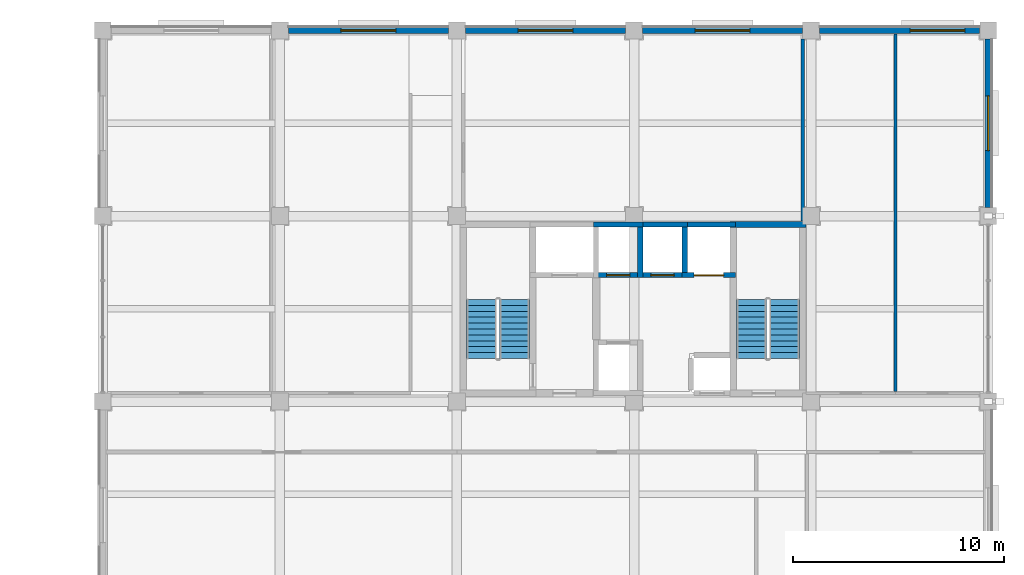
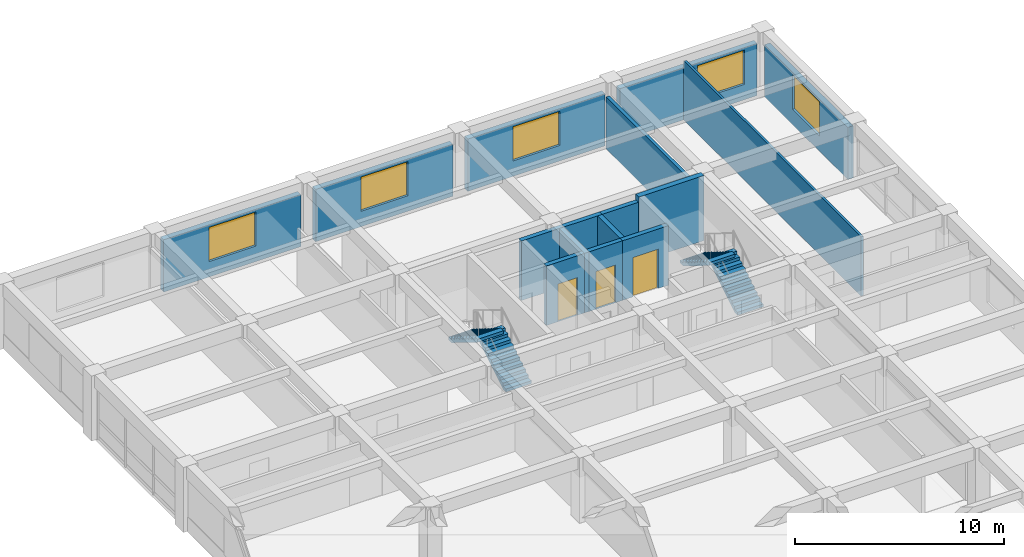
# One storey, part 12 of 16: 16 walls, 5 windows, 4 stair flights, 3 doors, 8 openings, 2 elements without a shape of their own.
"""IFC4 building model written with IfcOpenShell, lengths in metres."""

from ifc_helpers import new_model, si_unit, direction, frame, frame_2d, origin, place, context, subcontext, project, spatial, polyline, rectangle, outline, extrude, material, layer, layer_set, type_object, element, fill, aggregate, save


model = new_model("IFC4")

# Units and contexts
model_context = context("Model", 3, precision=1e-05, world=origin(), true_north=direction((0.0, 1.0)))
body_context = subcontext(model_context, "Body", "Model", "MODEL_VIEW")
ifc_project = project(units=[si_unit("LENGTHUNIT", "METRE"), si_unit("AREAUNIT", "SQUARE_METRE"), si_unit("VOLUMEUNIT", "CUBIC_METRE"), si_unit("PLANEANGLEUNIT", "RADIAN"), si_unit("MASSUNIT", "GRAM", prefix="KILO")], contexts=[model_context])

# Site, building, storey
site_placement = place(None, origin())
site = spatial("IfcSite", under=ifc_project, at=site_placement, CompositionType="ELEMENT")
building_placement = place(site_placement, origin())
building = spatial("IfcBuilding", under=site, at=building_placement, Name="Kemercrest Conservatory and Botanical Centre", CompositionType="ELEMENT")
storey_placement = place(building_placement, frame((0.0, 0.0, 17.199951171875)))
storey = spatial("IfcBuildingStorey", under=building, at=storey_placement, Name="L04", CompositionType="ELEMENT", Elevation=17.199951171875)

# Wall
ifc_material_1 = material(Name="Concrete C50/60", Category="concrete")
ifc_layer_1 = layer(ifc_material_1, 0.300048828125)
ifc_layer_set_1 = layer_set([ifc_layer_1], Name="Concrete C50/60")
wall_type_1 = type_object("IfcWallType", Name="CW-STAIR", PredefinedType="SHEAR", material=ifc_layer_set_1)
wall_1_placement = place(storey_placement, frame((163.75, 113.199951171875, 0.0), z_axis=(0.0, 0.0, 1.0), x_axis=(1.0, 0.0, 0.0)))
element("IfcWall", 1, at=wall_1_placement, inside=storey, type_object=wall_type_1, Name="Stair core ST-V4B shear wall N", PredefinedType="SHEAR", context=body_context, shape_type="SweptSolid", body=[
    extrude(rectangle(XDim=3.60009765625, YDim=0.300048828125, at=frame_2d((1.800048828125, 0.0))), origin(), (0.0, 0.0, 1.0), 3.800048828125),
])

# Wall, opening, window
ifc_material_2 = material(Name="Precast concrete C40/50", Category="concrete")
ifc_layer_2 = layer(ifc_material_2, 0.300048828125)
ifc_layer_set_2 = layer_set([ifc_layer_2], Name="Precast concrete C40/50")
wall_type_2 = type_object("IfcWallType", Name="W-EXT300", PredefinedType="SOLIDWALL", material=ifc_layer_set_2)
wall_2_placement = place(storey_placement, frame((176.0, 114.010009765625, 0.0), z_axis=(0.0, 0.0, 1.0), x_axis=(0.0, 1.0, 0.0)))
wall_2 = element("IfcWall", 2, at=wall_2_placement, inside=storey, type_object=wall_type_2, Name="Exterior almasik wall W-EXT300 (WAL:L04:EXT-228)", PredefinedType="SOLIDWALL", context=body_context, shape_type="SweptSolid", body=[
    extrude(rectangle(XDim=7.97998046875, YDim=0.300048828125, at=frame_2d((3.989990234375, 0.0))), origin(), (0.0, 0.0, 1.0), 3.050048828125),
])
opening_1_placement = place(wall_2_placement, frame((2.68994140625, 0.0, 0.89990234375)))
opening_1 = element("IfcOpeningElement", 3, at=opening_1_placement, cuts=wall_2, Name="Opening WT-10", PredefinedType="OPENING", context=body_context, shape_type="SweptSolid", body=[
    extrude(rectangle(XDim=2.60009765625, YDim=2.0, at=frame_2d((1.300048828125, 1.0))), frame((0.0, 0.16015625, 0.0), z_axis=(0.0, -1.0, 0.0), x_axis=(1.0, 0.0, 0.0)), (0.0, 0.0, 1.0), 0.320068359375),
])
ifc_material_3 = material(Name="Thermally broken bronze-anodized aluminium and triple glazing", Category="aluminium")
window_type = type_object("IfcWindowType", Name="WT-10", PartitioningType="SINGLE_PANEL", PredefinedType="WINDOW", material=ifc_material_3)
window_1_placement = place(opening_1_placement, origin())
window_1 = element("IfcWindow", 4, at=window_1_placement, inside=storey, type_object=window_type, Name="Exterior window WT-10 (WIN:L04:EXT-228)", OverallHeight=2.0, OverallWidth=2.60009765625, PartitioningType="SINGLE_PANEL", PredefinedType="WINDOW", context=body_context, shape_type="SweptSolid", body=[
    extrude(rectangle(XDim=2.60009765625, YDim=2.0, at=frame_2d((1.300048828125, 1.0))), frame((0.0, 0.030029296875, 0.0), z_axis=(0.0, -1.0, 0.0), x_axis=(1.0, 0.0, 0.0)), (0.0, 0.0, 1.0), 0.06005859375),
])
fill(opening_1, window_1)

wall_3_placement = place(storey_placement, frame((175.590087890625, 122.39990234375, 0.0), z_axis=(0.0, 0.0, 1.0), x_axis=(-1.0, 0.0, 0.0)))
wall_3 = element("IfcWall", 5, at=wall_3_placement, inside=storey, type_object=wall_type_2, Name="Exterior almasik wall W-EXT300 (WAL:L04:EXT-229)", PredefinedType="SOLIDWALL", context=body_context, shape_type="SweptSolid", body=[
    extrude(rectangle(XDim=7.580078125, YDim=0.300048828125, at=frame_2d((3.7900390625, 0.0))), origin(), (0.0, 0.0, 1.0), 3.050048828125),
])
opening_2_placement = place(wall_3_placement, frame((0.695068359375, 0.0, 0.89990234375)))
opening_2 = element("IfcOpeningElement", 6, at=opening_2_placement, cuts=wall_3, Name="Opening WT-10", PredefinedType="OPENING", context=body_context, shape_type="SweptSolid", body=[
    extrude(rectangle(XDim=2.60009765625, YDim=2.0, at=frame_2d((1.300048828125, 1.0))), frame((0.0, 0.16015625, 0.0), z_axis=(0.0, -1.0, 0.0), x_axis=(1.0, 0.0, 0.0)), (0.0, 0.0, 1.0), 0.320068359375),
])
window_2_placement = place(opening_2_placement, origin())
window_2 = element("IfcWindow", 7, at=window_2_placement, inside=storey, type_object=window_type, Name="Exterior window WT-10 (WIN:L04:EXT-229)", OverallHeight=2.0, OverallWidth=2.60009765625, PartitioningType="SINGLE_PANEL", PredefinedType="WINDOW", context=body_context, shape_type="SweptSolid", body=[
    extrude(rectangle(XDim=2.60009765625, YDim=2.0, at=frame_2d((1.300048828125, 1.0))), frame((0.0, 0.030029296875, 0.0), z_axis=(0.0, -1.0, 0.0), x_axis=(1.0, 0.0, 0.0)), (0.0, 0.0, 1.0), 0.06005859375),
])
fill(opening_2, window_2)

wall_4_placement = place(storey_placement, frame((167.18994140625, 122.39990234375, 0.0), z_axis=(0.0, 0.0, 1.0), x_axis=(-1.0, 0.0, 0.0)))
wall_4 = element("IfcWall", 8, at=wall_4_placement, inside=storey, type_object=wall_type_2, Name="Exterior almasik wall W-EXT300 (WAL:L04:EXT-230)", PredefinedType="SOLIDWALL", context=body_context, shape_type="SweptSolid", body=[
    extrude(rectangle(XDim=7.579833984375, YDim=0.300048828125, at=frame_2d((3.7900390625, 0.0))), origin(), (0.0, 0.0, 1.0), 3.050048828125),
])
opening_3_placement = place(wall_4_placement, frame((2.489990234375, 0.0, 0.89990234375)))
opening_3 = element("IfcOpeningElement", 9, at=opening_3_placement, cuts=wall_4, Name="Opening WT-10", PredefinedType="OPENING", context=body_context, shape_type="SweptSolid", body=[
    extrude(rectangle(XDim=2.60009765625, YDim=2.0, at=frame_2d((1.300048828125, 1.0))), frame((0.0, 0.16015625, 0.0), z_axis=(0.0, -1.0, 0.0), x_axis=(1.0, 0.0, 0.0)), (0.0, 0.0, 1.0), 0.320068359375),
])
window_3_placement = place(opening_3_placement, origin())
window_3 = element("IfcWindow", 10, at=window_3_placement, inside=storey, type_object=window_type, Name="Exterior window WT-10 (WIN:L04:EXT-230)", OverallHeight=2.0, OverallWidth=2.60009765625, PartitioningType="SINGLE_PANEL", PredefinedType="WINDOW", context=body_context, shape_type="SweptSolid", body=[
    extrude(rectangle(XDim=2.60009765625, YDim=2.0, at=frame_2d((1.300048828125, 1.0))), frame((0.0, 0.030029296875, 0.0), z_axis=(0.0, -1.0, 0.0), x_axis=(1.0, 0.0, 0.0)), (0.0, 0.0, 1.0), 0.06005859375),
])
fill(opening_3, window_3)

wall_5_placement = place(storey_placement, frame((158.7900390625, 122.39990234375, 0.0), z_axis=(0.0, 0.0, 1.0), x_axis=(-1.0, 0.0, 0.0)))
wall_5 = element("IfcWall", 11, at=wall_5_placement, inside=storey, type_object=wall_type_2, Name="Exterior almasik wall W-EXT300 (WAL:L04:EXT-231)", PredefinedType="SOLIDWALL", context=body_context, shape_type="SweptSolid", body=[
    extrude(rectangle(XDim=7.580078125, YDim=0.300048828125, at=frame_2d((3.7900390625, 0.0))), origin(), (0.0, 0.0, 1.0), 3.050048828125),
])
opening_4_placement = place(wall_5_placement, frame((2.489990234375, 0.0, 0.89990234375)))
opening_4 = element("IfcOpeningElement", 12, at=opening_4_placement, cuts=wall_5, Name="Opening WT-10", PredefinedType="OPENING", context=body_context, shape_type="SweptSolid", body=[
    extrude(rectangle(XDim=2.60009765625, YDim=2.0, at=frame_2d((1.300048828125, 1.0))), frame((0.0, 0.16015625, 0.0), z_axis=(0.0, -1.0, 0.0), x_axis=(1.0, 0.0, 0.0)), (0.0, 0.0, 1.0), 0.320068359375),
])
window_4_placement = place(opening_4_placement, origin())
window_4 = element("IfcWindow", 13, at=window_4_placement, inside=storey, type_object=window_type, Name="Exterior window WT-10 (WIN:L04:EXT-231)", OverallHeight=2.0, OverallWidth=2.60009765625, PartitioningType="SINGLE_PANEL", PredefinedType="WINDOW", context=body_context, shape_type="SweptSolid", body=[
    extrude(rectangle(XDim=2.60009765625, YDim=2.0, at=frame_2d((1.300048828125, 1.0))), frame((0.0, 0.030029296875, 0.0), z_axis=(0.0, -1.0, 0.0), x_axis=(1.0, 0.0, 0.0)), (0.0, 0.0, 1.0), 0.06005859375),
])
fill(opening_4, window_4)

wall_6_placement = place(storey_placement, frame((150.389892578125, 122.39990234375, 0.0), z_axis=(0.0, 0.0, 1.0), x_axis=(-1.0, 0.0, 0.0)))
wall_6 = element("IfcWall", 14, at=wall_6_placement, inside=storey, type_object=wall_type_2, Name="Exterior almasik wall W-EXT300 (WAL:L04:EXT-232)", PredefinedType="SOLIDWALL", context=body_context, shape_type="SweptSolid", body=[
    extrude(rectangle(XDim=7.579833984375, YDim=0.300048828125, at=frame_2d((3.7900390625, 0.0))), origin(), (0.0, 0.0, 1.0), 3.050048828125),
])
opening_5_placement = place(wall_6_placement, frame((2.489990234375, 0.0, 0.89990234375)))
opening_5 = element("IfcOpeningElement", 15, at=opening_5_placement, cuts=wall_6, Name="Opening WT-10", PredefinedType="OPENING", context=body_context, shape_type="SweptSolid", body=[
    extrude(rectangle(XDim=2.60009765625, YDim=2.0, at=frame_2d((1.300048828125, 1.0))), frame((0.0, 0.16015625, 0.0), z_axis=(0.0, -1.0, 0.0), x_axis=(1.0, 0.0, 0.0)), (0.0, 0.0, 1.0), 0.320068359375),
])
window_5_placement = place(opening_5_placement, origin())
window_5 = element("IfcWindow", 16, at=window_5_placement, inside=storey, type_object=window_type, Name="Exterior window WT-10 (WIN:L04:EXT-232)", OverallHeight=2.0, OverallWidth=2.60009765625, PartitioningType="SINGLE_PANEL", PredefinedType="WINDOW", context=body_context, shape_type="SweptSolid", body=[
    extrude(rectangle(XDim=2.60009765625, YDim=2.0, at=frame_2d((1.300048828125, 1.0))), frame((0.0, 0.030029296875, 0.0), z_axis=(0.0, -1.0, 0.0), x_axis=(1.0, 0.0, 0.0)), (0.0, 0.0, 1.0), 0.06005859375),
])
fill(opening_5, window_5)

# Walls
ifc_material_4 = material(Name="Moisture-resistant gypsum board partition", Category="gypsum")
ifc_layer_3 = layer(ifc_material_4, 0.125)
ifc_layer_set_3 = layer_set([ifc_layer_3], Name="Moisture-resistant gypsum board partition")
wall_type_3 = type_object("IfcWallType", Name="W-PART125", PredefinedType="PARTITIONING", material=ifc_layer_set_3)
wall_7_placement = place(storey_placement, frame((171.60009765625, 105.267578125, 0.0), z_axis=(0.0, 0.0, 1.0), x_axis=(0.0, 1.0, 0.0)))
element("IfcWall", 17, at=wall_7_placement, inside=storey, type_object=wall_type_3, Name="Interior partition W-PART125 #174", PredefinedType="PARTITIONING", context=body_context, shape_type="SweptSolid", body=[
    extrude(rectangle(XDim=16.9775390625, YDim=0.125, at=frame_2d((8.48876953125, 0.0))), origin(), (0.0, 0.0, 1.0), 3.465087890625),
])
ifc_material_5 = material(Name="Acoustic steel-stud gypsum board assembly", Category="steel")
ifc_layer_4 = layer(ifc_material_5, 0.179931640625)
ifc_layer_set_4 = layer_set([ifc_layer_4], Name="Acoustic steel-stud gypsum board assembly")
wall_type_4 = type_object("IfcWallType", Name="W-PART180", PredefinedType="PARTITIONING", material=ifc_layer_set_4)
wall_8_placement = place(storey_placement, frame((167.199951171875, 113.35498046875, 0.0), z_axis=(0.0, 0.0, 1.0), x_axis=(0.0, 1.0, 0.0)))
element("IfcWall", 18, at=wall_8_placement, inside=storey, type_object=wall_type_4, Name="Interior partition W-PART180 #173", PredefinedType="PARTITIONING", context=body_context, shape_type="SweptSolid", body=[
    extrude(rectangle(XDim=8.64501953125, YDim=0.179931640625, at=frame_2d((4.322509765625, 0.0))), origin(), (0.0, 0.0, 1.0), 3.045166015625),
])

# Wall, opening, door
ifc_material_6 = material(Name="Concrete C40/50", Category="concrete")
ifc_layer_5 = layer(ifc_material_6, 0.25)
ifc_layer_set_5 = layer_set([ifc_layer_5], Name="Concrete C40/50")
wall_type_5 = type_object("IfcWallType", Name="W-SHFT250", PredefinedType="SOLIDWALL", material=ifc_layer_set_5)
wall_9_placement = place(storey_placement, frame((157.27490234375, 110.800048828125, 0.0), z_axis=(0.0, 0.0, 1.0), x_axis=(1.0, 0.0, 0.0)))
wall_9 = element("IfcWall", 19, at=wall_9_placement, inside=storey, type_object=wall_type_5, Name="Elevator LF-P1 shaft wall south", PredefinedType="SOLIDWALL", context=body_context, shape_type="SweptSolid", body=[
    extrude(rectangle(XDim=2.35009765625, YDim=0.25, at=frame_2d((1.175048828125, 0.0))), origin(), (0.0, 0.0, 1.0), 3.47998046875),
])
opening_6_placement = place(wall_9_placement, frame((0.625, 0.0, 0.0)))
opening_6 = element("IfcOpeningElement", 20, at=opening_6_placement, cuts=wall_9, Name="Opening LD-025", PredefinedType="OPENING", context=body_context, shape_type="SweptSolid", body=[
    extrude(rectangle(XDim=1.10009765625, YDim=2.199951171875, at=frame_2d((0.550048828125, 1.10009765625))), frame((0.0, 0.135009765625, 0.0), z_axis=(0.0, -1.0, 0.0), x_axis=(1.0, 0.0, 0.0)), (0.0, 0.0, 1.0), 0.27001953125),
])
ifc_material_7 = material(Name="Powder-coated galvanized steel and fire-rated vision glass", Category="steel")
door_type_1 = type_object("IfcDoorType", Name="DT-LD01", OperationType="SLIDING_TO_LEFT", PredefinedType="DOOR", material=ifc_material_7)
door_1_placement = place(opening_6_placement, origin())
door_1 = element("IfcDoor", 21, at=door_1_placement, inside=storey, type_object=door_type_1, Name="Elevator LF-P1 sliding landing door LD-025", OperationType="SLIDING_TO_LEFT", OverallHeight=2.199951171875, OverallWidth=1.10009765625, PredefinedType="DOOR", context=body_context, shape_type="SweptSolid", body=[
    extrude(rectangle(XDim=1.10009765625, YDim=2.199951171875, at=frame_2d((0.550048828125, 1.10009765625))), frame((0.0, 0.02490234375, 0.0), z_axis=(0.0, -1.0, 0.0), x_axis=(1.0, 0.0, 0.0)), (0.0, 0.0, 1.0), 0.050048828125),
])
fill(opening_6, door_1)

# Walls
wall_10_placement = place(storey_placement, frame((157.27490234375, 113.199951171875, 0.0), z_axis=(0.0, 0.0, 1.0), x_axis=(1.0, 0.0, 0.0)))
element("IfcWall", 22, at=wall_10_placement, inside=storey, type_object=wall_type_5, Name="Elevator LF-P1 shaft wall north", PredefinedType="SOLIDWALL", context=body_context, shape_type="SweptSolid", body=[
    extrude(rectangle(XDim=2.35009765625, YDim=0.25, at=frame_2d((1.175048828125, 0.0))), origin(), (0.0, 0.0, 1.0), 3.47998046875),
])
wall_11_placement = place(storey_placement, frame((159.5, 110.675048828125, 0.0), z_axis=(0.0, 0.0, 1.0), x_axis=(0.0, 1.0, 0.0)))
element("IfcWall", 23, at=wall_11_placement, inside=storey, type_object=wall_type_5, Name="Elevator LF-P1 shaft wall east", PredefinedType="SOLIDWALL", context=body_context, shape_type="SweptSolid", body=[
    extrude(rectangle(XDim=2.64990234375, YDim=0.25, at=frame_2d((1.324951171875, 0.0))), origin(), (0.0, 0.0, 1.0), 3.47998046875),
])

# Wall, opening, door
wall_12_placement = place(storey_placement, frame((159.375, 110.800048828125, 0.0), z_axis=(0.0, 0.0, 1.0), x_axis=(1.0, 0.0, 0.0)))
wall_12 = element("IfcWall", 24, at=wall_12_placement, inside=storey, type_object=wall_type_5, Name="Elevator LF-P2 shaft wall south", PredefinedType="SOLIDWALL", context=body_context, shape_type="SweptSolid", body=[
    extrude(rectangle(XDim=2.35009765625, YDim=0.25, at=frame_2d((1.175048828125, 0.0))), origin(), (0.0, 0.0, 1.0), 3.47998046875),
])
opening_7_placement = place(wall_12_placement, frame((0.625, 0.0, 0.0)))
opening_7 = element("IfcOpeningElement", 25, at=opening_7_placement, cuts=wall_12, Name="Opening LD-044", PredefinedType="OPENING", context=body_context, shape_type="SweptSolid", body=[
    extrude(rectangle(XDim=1.10009765625, YDim=2.199951171875, at=frame_2d((0.550048828125, 1.10009765625))), frame((0.0, 0.135009765625, 0.0), z_axis=(0.0, -1.0, 0.0), x_axis=(1.0, 0.0, 0.0)), (0.0, 0.0, 1.0), 0.27001953125),
])
door_2_placement = place(opening_7_placement, origin())
door_2 = element("IfcDoor", 26, at=door_2_placement, inside=storey, type_object=door_type_1, Name="Elevator LF-P2 sliding landing door LD-044", OperationType="SLIDING_TO_LEFT", OverallHeight=2.199951171875, OverallWidth=1.10009765625, PredefinedType="DOOR", context=body_context, shape_type="SweptSolid", body=[
    extrude(rectangle(XDim=1.10009765625, YDim=2.199951171875, at=frame_2d((0.550048828125, 1.10009765625))), frame((0.0, 0.02490234375, 0.0), z_axis=(0.0, -1.0, 0.0), x_axis=(1.0, 0.0, 0.0)), (0.0, 0.0, 1.0), 0.050048828125),
])
fill(opening_7, door_2)

# Walls
wall_13_placement = place(storey_placement, frame((159.375, 113.199951171875, 0.0), z_axis=(0.0, 0.0, 1.0), x_axis=(1.0, 0.0, 0.0)))
element("IfcWall", 27, at=wall_13_placement, inside=storey, type_object=wall_type_5, Name="Elevator LF-P2 shaft wall north", PredefinedType="SOLIDWALL", context=body_context, shape_type="SweptSolid", body=[
    extrude(rectangle(XDim=2.35009765625, YDim=0.25, at=frame_2d((1.175048828125, 0.0))), origin(), (0.0, 0.0, 1.0), 3.47998046875),
])
wall_14_placement = place(storey_placement, frame((161.60009765625, 110.675048828125, 0.0), z_axis=(0.0, 0.0, 1.0), x_axis=(0.0, 1.0, 0.0)))
element("IfcWall", 28, at=wall_14_placement, inside=storey, type_object=wall_type_5, Name="Elevator LF-P2 shaft wall east", PredefinedType="SOLIDWALL", context=body_context, shape_type="SweptSolid", body=[
    extrude(rectangle(XDim=2.64990234375, YDim=0.25, at=frame_2d((1.324951171875, 0.0))), origin(), (0.0, 0.0, 1.0), 3.47998046875),
])

# Wall, opening, door
wall_15_placement = place(storey_placement, frame((161.47509765625, 110.800048828125, 0.0), z_axis=(0.0, 0.0, 1.0), x_axis=(1.0, 0.0, 0.0)))
wall_15 = element("IfcWall", 29, at=wall_15_placement, inside=storey, type_object=wall_type_5, Name="Elevator LF-G1 shaft wall south", PredefinedType="SOLIDWALL", context=body_context, shape_type="SweptSolid", body=[
    extrude(rectangle(XDim=2.5498046875, YDim=0.25, at=frame_2d((1.27490234375, 0.0))), origin(), (0.0, 0.0, 1.0), 3.47998046875),
])
opening_8_placement = place(wall_15_placement, frame((0.574951171875, 0.0, 0.0)))
opening_8 = element("IfcOpeningElement", 30, at=opening_8_placement, cuts=wall_15, Name="Opening LD-080", PredefinedType="OPENING", context=body_context, shape_type="SweptSolid", body=[
    extrude(rectangle(XDim=1.39990234375, YDim=2.300048828125, at=frame_2d((0.699951171875, 1.14990234375))), frame((0.0, 0.135009765625, 0.0), z_axis=(0.0, -1.0, 0.0), x_axis=(1.0, 0.0, 0.0)), (0.0, 0.0, 1.0), 0.27001953125),
])
door_type_2 = type_object("IfcDoorType", Name="DT-LD03", OperationType="SLIDING_TO_LEFT", PredefinedType="DOOR", material=ifc_material_7)
door_3_placement = place(opening_8_placement, origin())
door_3 = element("IfcDoor", 31, at=door_3_placement, inside=storey, type_object=door_type_2, Name="Elevator LF-G1 sliding landing door LD-080", OperationType="SLIDING_TO_LEFT", OverallHeight=2.300048828125, OverallWidth=1.39990234375, PredefinedType="DOOR", context=body_context, shape_type="SweptSolid", body=[
    extrude(rectangle(XDim=1.39990234375, YDim=2.300048828125, at=frame_2d((0.699951171875, 1.14990234375))), frame((0.0, 0.02490234375, 0.0), z_axis=(0.0, -1.0, 0.0), x_axis=(1.0, 0.0, 0.0)), (0.0, 0.0, 1.0), 0.050048828125),
])
fill(opening_8, door_3)

# Wall
wall_16_placement = place(storey_placement, frame((161.47509765625, 113.199951171875, 0.0), z_axis=(0.0, 0.0, 1.0), x_axis=(1.0, 0.0, 0.0)))
element("IfcWall", 32, at=wall_16_placement, inside=storey, type_object=wall_type_5, Name="Elevator LF-G1 shaft wall north", PredefinedType="SOLIDWALL", context=body_context, shape_type="SweptSolid", body=[
    extrude(rectangle(XDim=2.5498046875, YDim=0.25, at=frame_2d((1.27490234375, 0.0))), origin(), (0.0, 0.0, 1.0), 3.47998046875),
])

# Stair, stair flights
stair_type = type_object("IfcStairType", Name="ST-142-38", PredefinedType="HALF_TURN_STAIR", material=ifc_material_6)
stair_1_placement = place(storey_placement, origin())
stair_1 = element("IfcStair", 33, at=stair_1_placement, inside=storey, type_object=stair_type, Name="L04 Exit stair ST-V4A", PredefinedType="HALF_TURN_STAIR")
stair_flight_type = type_object("IfcStairFlightType", Name="FL-142-38", PredefinedType="STRAIGHT", material=ifc_material_6)
stair_flight_1_placement = place(storey_placement, frame((153.530029296875, 106.840087890625, 0.0), z_axis=(0.0, 0.0, 1.0), x_axis=(0.0, 1.0, 0.0)))
stair_flight_1 = element("IfcStairFlight", 34, at=stair_flight_1_placement, type_object=stair_flight_type, Name="ST-V4A flight 1", NumberOfRisers=11, NumberOfTreads=10, PredefinedType="STRAIGHT", RiserHeight=0.172727273, TreadLength=0.28, context=body_context, shape_type="SweptSolid", body=[
    extrude(outline(polyline([(0.0, 0.0), (0.0, 0.172607421875), (0.280029296875, 0.172607421875), (0.280029296875, 0.345458984375), (0.56005859375, 0.345458984375), (0.56005859375, 0.51806640625), (0.840087890625, 0.51806640625), (0.840087890625, 0.69091796875), (1.1201171875, 0.69091796875), (1.1201171875, 0.863525390625), (1.39990234375, 0.863525390625), (1.39990234375, 1.036376953125), (1.679931640625, 1.036376953125), (1.679931640625, 1.208984375), (1.9599609375, 1.208984375), (1.9599609375, 1.3818359375), (2.239990234375, 1.3818359375), (2.239990234375, 1.554443359375), (2.52001953125, 1.554443359375), (2.52001953125, 1.727294921875), (2.800048828125, 1.727294921875), (2.800048828125, 1.89990234375), (2.800048828125, 1.551025390625), (0.285400390625, 0.0), (0.0, 0.0)])), frame((0.0, 0.7099609375, 0.0), z_axis=(0.0, -1.0, 0.0), x_axis=(1.0, 0.0, 0.0)), (0.0, 0.0, 1.0), 1.419921875),
])
stair_flight_2_placement = place(storey_placement, frame((151.969970703125, 109.639892578125, 1.900146484375), z_axis=(0.0, 0.0, 1.0), x_axis=(0.0, -1.0, 0.0)))
stair_flight_2 = element("IfcStairFlight", 35, at=stair_flight_2_placement, type_object=stair_flight_type, Name="ST-V4A flight 2", NumberOfRisers=11, NumberOfTreads=10, PredefinedType="STRAIGHT", RiserHeight=0.172727273, TreadLength=0.28, context=body_context, shape_type="SweptSolid", body=[
    extrude(outline(polyline([(0.0, 0.0), (0.0, 0.172607421875), (0.280029296875, 0.172607421875), (0.280029296875, 0.345458984375), (0.56005859375, 0.345458984375), (0.56005859375, 0.51806640625), (0.840087890625, 0.51806640625), (0.840087890625, 0.69091796875), (1.1201171875, 0.69091796875), (1.1201171875, 0.863525390625), (1.39990234375, 0.863525390625), (1.39990234375, 1.036376953125), (1.679931640625, 1.036376953125), (1.679931640625, 1.208984375), (1.9599609375, 1.208984375), (1.9599609375, 1.3818359375), (2.239990234375, 1.3818359375), (2.239990234375, 1.554443359375), (2.52001953125, 1.554443359375), (2.52001953125, 1.727294921875), (2.800048828125, 1.727294921875), (2.800048828125, 1.89990234375), (2.800048828125, 1.551025390625), (0.285400390625, 0.0), (0.0, 0.0)])), frame((0.0, 0.7099609375, 0.0), z_axis=(0.0, -1.0, 0.0), x_axis=(1.0, 0.0, 0.0)), (0.0, 0.0, 1.0), 1.419921875),
])
aggregate(stair_1, [stair_flight_1, stair_flight_2])

stair_2_placement = place(storey_placement, origin())
stair_2 = element("IfcStair", 36, at=stair_2_placement, inside=storey, type_object=stair_type, Name="L04 Exit stair ST-V4B", PredefinedType="HALF_TURN_STAIR")
stair_flight_3_placement = place(storey_placement, frame((166.330078125, 106.840087890625, 0.0), z_axis=(0.0, 0.0, 1.0), x_axis=(0.0, 1.0, 0.0)))
stair_flight_3 = element("IfcStairFlight", 37, at=stair_flight_3_placement, type_object=stair_flight_type, Name="ST-V4B flight 1", NumberOfRisers=11, NumberOfTreads=10, PredefinedType="STRAIGHT", RiserHeight=0.172727273, TreadLength=0.28, context=body_context, shape_type="SweptSolid", body=[
    extrude(outline(polyline([(0.0, 0.0), (0.0, 0.172607421875), (0.280029296875, 0.172607421875), (0.280029296875, 0.345458984375), (0.56005859375, 0.345458984375), (0.56005859375, 0.51806640625), (0.840087890625, 0.51806640625), (0.840087890625, 0.69091796875), (1.1201171875, 0.69091796875), (1.1201171875, 0.863525390625), (1.39990234375, 0.863525390625), (1.39990234375, 1.036376953125), (1.679931640625, 1.036376953125), (1.679931640625, 1.208984375), (1.9599609375, 1.208984375), (1.9599609375, 1.3818359375), (2.239990234375, 1.3818359375), (2.239990234375, 1.554443359375), (2.52001953125, 1.554443359375), (2.52001953125, 1.727294921875), (2.800048828125, 1.727294921875), (2.800048828125, 1.89990234375), (2.800048828125, 1.551025390625), (0.285400390625, 0.0), (0.0, 0.0)])), frame((0.0, 0.7099609375, 0.0), z_axis=(0.0, -1.0, 0.0), x_axis=(1.0, 0.0, 0.0)), (0.0, 0.0, 1.0), 1.419921875),
])
stair_flight_4_placement = place(storey_placement, frame((164.77001953125, 109.639892578125, 1.900146484375), z_axis=(0.0, 0.0, 1.0), x_axis=(0.0, -1.0, 0.0)))
stair_flight_4 = element("IfcStairFlight", 38, at=stair_flight_4_placement, type_object=stair_flight_type, Name="ST-V4B flight 2", NumberOfRisers=11, NumberOfTreads=10, PredefinedType="STRAIGHT", RiserHeight=0.172727273, TreadLength=0.28, context=body_context, shape_type="SweptSolid", body=[
    extrude(outline(polyline([(0.0, 0.0), (0.0, 0.172607421875), (0.280029296875, 0.172607421875), (0.280029296875, 0.345458984375), (0.56005859375, 0.345458984375), (0.56005859375, 0.51806640625), (0.840087890625, 0.51806640625), (0.840087890625, 0.69091796875), (1.1201171875, 0.69091796875), (1.1201171875, 0.863525390625), (1.39990234375, 0.863525390625), (1.39990234375, 1.036376953125), (1.679931640625, 1.036376953125), (1.679931640625, 1.208984375), (1.9599609375, 1.208984375), (1.9599609375, 1.3818359375), (2.239990234375, 1.3818359375), (2.239990234375, 1.554443359375), (2.52001953125, 1.554443359375), (2.52001953125, 1.727294921875), (2.800048828125, 1.727294921875), (2.800048828125, 1.89990234375), (2.800048828125, 1.551025390625), (0.285400390625, 0.0), (0.0, 0.0)])), frame((0.0, 0.7099609375, 0.0), z_axis=(0.0, -1.0, 0.0), x_axis=(1.0, 0.0, 0.0)), (0.0, 0.0, 1.0), 1.419921875),
])
aggregate(stair_2, [stair_flight_3, stair_flight_4])

save(model, "model.ifc")
